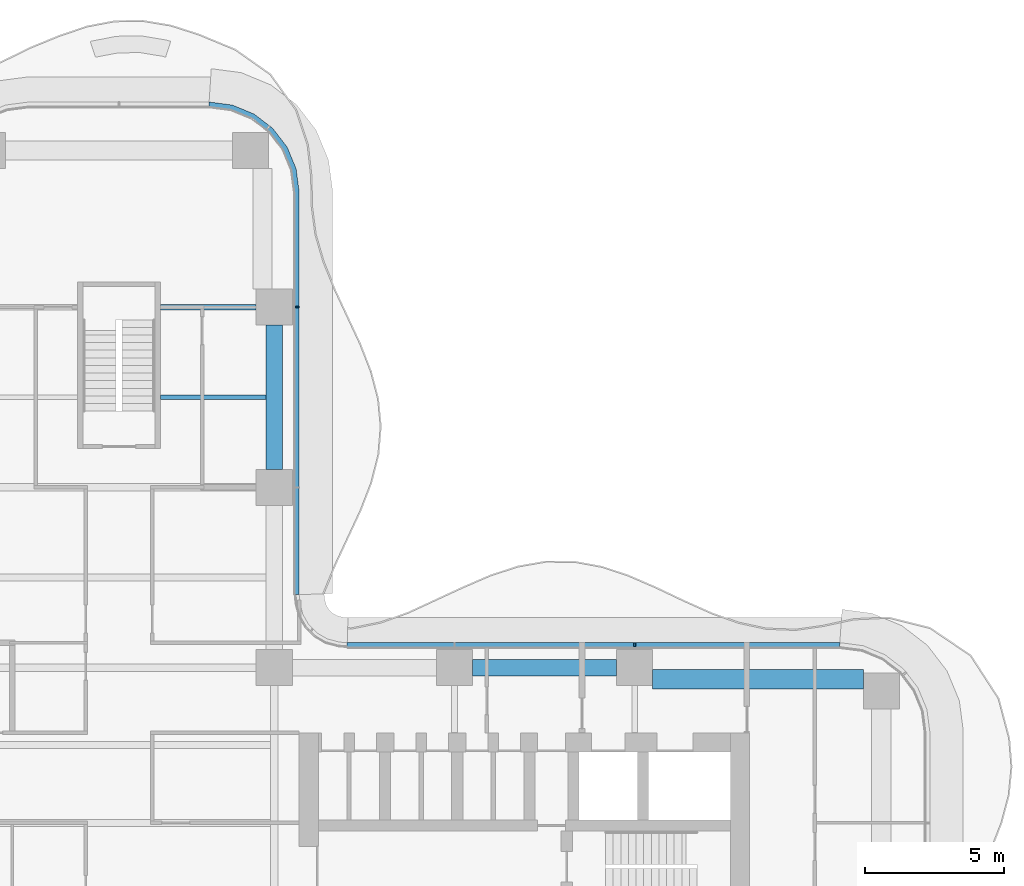
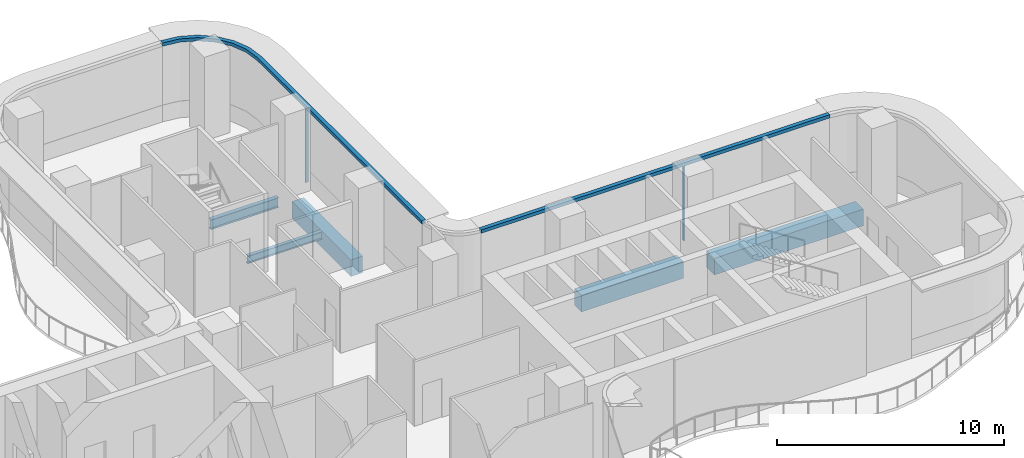
# One storey, part 10 of 21: 5 beams, 4 members, 2 elements without a shape of their own.
"""IFC4 building model written with IfcOpenShell, lengths in metres."""

from ifc_helpers import new_model, si_unit, direction, frame, origin, origin_2d, place, context, subcontext, project, spatial, polyline, rectangle, i_section, outline, extrude, source, transform, mapped, material, layer, layer_set, material_profile, profile_set, type_object, element, aggregate, save


model = new_model("IFC4")

# Units and contexts
model_context = context("Model", 3, precision=1e-05, world=origin(), true_north=direction((0.0, 1.0)))
body_context = subcontext(model_context, "Body", "Model", "MODEL_VIEW")
ifc_project = project(units=[si_unit("LENGTHUNIT", "METRE"), si_unit("AREAUNIT", "SQUARE_METRE"), si_unit("VOLUMEUNIT", "CUBIC_METRE"), si_unit("PLANEANGLEUNIT", "RADIAN"), si_unit("MASSUNIT", "GRAM", prefix="KILO")], contexts=[model_context])

# Site, building, storey
site_placement = place(None, origin())
site = spatial("IfcSite", under=ifc_project, at=site_placement, CompositionType="ELEMENT")
building_placement = place(site_placement, origin())
building = spatial("IfcBuilding", under=site, at=building_placement, Name="Trellis Farm Tower", CompositionType="ELEMENT")
storey_placement = place(building_placement, frame((0.0, 0.0, 147.0)))
storey = spatial("IfcBuildingStorey", under=building, at=storey_placement, Name="L31", CompositionType="ELEMENT", Elevation=147.0)

# Beams
ifc_material_1 = material(Name="Steel S355", Category="steel")
ifc_material_profile_1 = material_profile(ifc_material_1, i_section(OverallWidth=0.177978515625, OverallDepth=0.406494140625, WebThickness=0.0078125, FlangeThickness=0.0126953125, FilletRadius=0.01025390625, at=origin_2d()), Name="UB 406x178x60")
ifc_profile_set_1 = profile_set([ifc_material_profile_1], Name="Steel S355")
beam_type_1 = type_object("IfcBeamType", Name="UB 406x178x60 joist", PredefinedType="JOIST", material=ifc_profile_set_1)
shared_shape_1 = source(origin(), body_context, "Body", "SweptSolid", [
    extrude(i_section(OverallWidth=0.177978515625, OverallDepth=0.406494140625, WebThickness=0.0078125, FlangeThickness=0.0126953125, FilletRadius=0.01025390625, at=origin_2d()), origin(), (0.0, 0.0, 1.0), 3.800048828125),
])
beam_1_placement = place(storey_placement, frame((1.5, 15.35009765625, -0.453125), z_axis=(1.0, 0.0, 0.0), x_axis=(0.0, 1.0, 0.0)))
element("IfcBeam", 1, at=beam_1_placement, inside=storey, type_object=beam_type_1, Name="Floor beam", PredefinedType="JOIST", context=body_context, shape_type="MappedRepresentation", body=[
    mapped(shared_shape_1, transform((0.0, 0.0, 0.0))),
])
ifc_material_profile_2 = material_profile(ifc_material_1, i_section(OverallWidth=0.209228515625, OverallDepth=0.533203125, WebThickness=0.010009765625, FlangeThickness=0.015625, FilletRadius=0.0126953125, at=origin_2d()), Name="UB 533x210x92")
ifc_profile_set_2 = profile_set([ifc_material_profile_2], Name="Steel S355")
beam_type_2 = type_object("IfcBeamType", Name="UB 533x210x92", PredefinedType="BEAM", material=ifc_profile_set_2)
shared_shape_2 = source(origin(), body_context, "Body", "SweptSolid", [
    extrude(i_section(OverallWidth=0.209228515625, OverallDepth=0.533203125, WebThickness=0.010009765625, FlangeThickness=0.015625, FilletRadius=0.0126953125, at=origin_2d()), origin(), (0.0, 0.0, 1.0), 3.449951171875),
])
beam_2_placement = place(storey_placement, frame((1.5, 18.60009765625, -0.5166015625), z_axis=(1.0, 0.0, 0.0), x_axis=(0.0, 1.0, 0.0)))
element("IfcBeam", 2, at=beam_2_placement, inside=storey, type_object=beam_type_2, Name="Girder", PredefinedType="BEAM", context=body_context, shape_type="MappedRepresentation", body=[
    mapped(shared_shape_2, transform((0.0, 0.0, 0.0))),
])
ifc_material_2 = material(Name="Concrete C60/75", Category="concrete")
ifc_material_profile_3 = material_profile(ifc_material_2, rectangle(XDim=0.60009765625, YDim=0.89990234375, at=origin_2d()), Name="RC spandrel beam 600x900 C60/75")
ifc_profile_set_3 = profile_set([ifc_material_profile_3], Name="Concrete C60/75")
beam_type_3 = type_object("IfcBeamType", Name="RC spandrel beam 600x900 C60/75", PredefinedType="SPANDREL", material=ifc_profile_set_3)
shared_shape_3 = source(origin(), body_context, "Body", "SweptSolid", [
    extrude(rectangle(XDim=0.60009765625, YDim=0.89990234375, at=origin_2d()), origin(), (0.0, 0.0, 1.0), 5.199951171875),
])
for number, where, z_axis, x_axis, name in (
    (3, (12.75, 5.60009765625, -0.699951171875), (1.0, 0.0, 0.0), (0.0, 1.0, 0.0), "Girder"),
    (4, (5.60009765625, 12.75, -0.699951171875), (0.0, 1.0, 0.0), (-1.0, 0.0, 0.0), "Girder"),
):
    element("IfcBeam", number, at=place(storey_placement, frame(where, z_axis=z_axis, x_axis=x_axis)), inside=storey, type_object=beam_type_3, Name=name, PredefinedType="SPANDREL", context=body_context, shape_type="MappedRepresentation", body=[
        mapped(shared_shape_3, transform((0.0, 0.0, 0.0))),
    ])
ifc_material_profile_4 = material_profile(ifc_material_2, rectangle(XDim=0.699951171875, YDim=0.89990234375, at=origin_2d()), Name="RC spandrel beam 700x900 C60/75")
ifc_profile_set_4 = profile_set([ifc_material_profile_4], Name="Concrete C60/75")
beam_type_4 = type_object("IfcBeamType", Name="RC spandrel beam 700x900 C60/75", PredefinedType="SPANDREL", material=ifc_profile_set_4)
shared_shape_4 = source(origin(), body_context, "Body", "SweptSolid", [
    extrude(rectangle(XDim=0.699951171875, YDim=0.89990234375, at=origin_2d()), origin(), (0.0, 0.0, 1.0), 7.60009765625),
])
beam_3_placement = place(storey_placement, frame((19.25, 5.175048828125, -0.699951171875), z_axis=(1.0, 0.0, 0.0), x_axis=(0.0, 1.0, 0.0)))
element("IfcBeam", 5, at=beam_3_placement, inside=storey, type_object=beam_type_4, Name="Girder", PredefinedType="SPANDREL", context=body_context, shape_type="MappedRepresentation", body=[
    mapped(shared_shape_4, transform((0.0, 0.0, 0.0))),
])

# Curtain wall, member
ifc_material_3 = material(Name="Aluminium and glass curtain wall", Category="aluminium")
ifc_layer_1 = layer(ifc_material_3, 0.18994140625)
ifc_layer_set_1 = layer_set([ifc_layer_1], Name="RIBBON CURTAIN WALL CW1")
curtain_wall_type = type_object("IfcCurtainWallType", Name="RIBBON CURTAIN WALL CW1", PredefinedType="NOTDEFINED", material=ifc_layer_set_1)
placement_1 = place(storey_placement, origin())
curtain_wall_1 = element("IfcCurtainWall", 6, at=placement_1, inside=storey, type_object=curtain_wall_type, Name="CW1 008", PredefinedType="NOTDEFINED")
ifc_material_4 = material(Name="Aluminium extrusion 6063-T6", Category="aluminium")
ifc_material_profile_5 = material_profile(ifc_material_4, rectangle(XDim=0.06005859375, YDim=0.14990234375, at=origin_2d()), Name="MULLION 60x150")
ifc_profile_set_5 = profile_set([ifc_material_profile_5], Name="Aluminium extrusion 6063-T6")
member_type_1 = type_object("IfcMemberType", Name="CW1 MULLION 60x150", PredefinedType="MULLION", material=ifc_profile_set_5)
shared_shape_5 = source(origin(), body_context, "Body", "SweptSolid", [
    extrude(rectangle(XDim=0.06005859375, YDim=0.14990234375, at=origin_2d()), origin(), (0.0, 0.0, 1.0), 4.070068359375),
])
member_1_placement = place(storey_placement, frame((18.60009765625, 6.425048828125, 0.0), z_axis=(0.0, 0.0, 1.0), x_axis=(-1.0, 0.0, 0.0)))
member_1 = element("IfcMember", 7, at=member_1_placement, type_object=member_type_1, Name="MU1 008-01", PredefinedType="MULLION", context=body_context, shape_type="MappedRepresentation", body=[
    mapped(shared_shape_5, transform((0.0, 0.0, 0.0))),
])

# Curtain wall, members
curtain_wall_2 = element("IfcCurtainWall", 8, at=placement_1, inside=storey, type_object=curtain_wall_type, Name="CW1 009", PredefinedType="NOTDEFINED")
member_2_placement = place(storey_placement, frame((6.425048828125, 18.60009765625, 0.0), z_axis=(0.0, 0.0, 1.0), x_axis=(0.0, 1.0, 0.0)))
member_2 = element("IfcMember", 9, at=member_2_placement, type_object=member_type_1, Name="MU1 009-02", PredefinedType="MULLION", context=body_context, shape_type="MappedRepresentation", body=[
    mapped(shared_shape_5, transform((0.0, 0.0, 0.0))),
])
ifc_layer_2 = layer(ifc_material_4, 0.199951171875)
ifc_layer_set_2 = layer_set([ifc_layer_2], Name="Aluminium extrusion 6063-T6")
member_type_2 = type_object("IfcMemberType", Name="CW1 TRANSOM 200x180", PredefinedType="USERDEFINED", material=ifc_layer_set_2)
shared_shape_6 = source(origin(), body_context, "Body", "SweptSolid", [
    extrude(outline(polyline([(6.5, 8.2314453125), (6.5, 22.75), (6.38916015625, 23.591064453125), (6.064697265625, 24.375), (5.548095703125, 25.048095703125), (4.875, 25.564697265625), (4.091064453125, 25.88916015625), (3.25, 26.0), (3.23681640625, 25.800048828125), (4.0390625, 25.6943359375), (4.774169921875, 25.389892578125), (5.405517578125, 24.905517578125), (5.889892578125, 24.274169921875), (6.1943359375, 23.5390625), (6.300048828125, 22.73681640625), (6.300048828125, 8.224853515625), (6.5, 8.2314453125)])), origin(), (0.0, 0.0, 1.0), 0.179931640625),
])
placement_2 = place(storey_placement, frame((0.0, 0.0, 4.070068359375)))
member_3 = element("IfcMember", 10, at=placement_2, type_object=member_type_2, Name="TR1 009", ObjectType="TRANSOM", PredefinedType="USERDEFINED", context=body_context, shape_type="MappedRepresentation", body=[
    mapped(shared_shape_6, transform((0.0, 0.0, 0.0))),
])
aggregate(curtain_wall_2, [member_2, member_3])

# Member
shared_shape_7 = source(origin(), body_context, "Body", "SweptSolid", [
    extrude(outline(polyline([(26.0, 6.5), (8.2314453125, 6.5), (8.224853515625, 6.300048828125), (25.98681640625, 6.300048828125), (26.0, 6.5)])), origin(), (0.0, 0.0, 1.0), 0.179931640625),
])
member_4 = element("IfcMember", 11, at=placement_2, type_object=member_type_2, Name="TR1 008", ObjectType="TRANSOM", PredefinedType="USERDEFINED", context=body_context, shape_type="MappedRepresentation", body=[
    mapped(shared_shape_7, transform((0.0, 0.0, 0.0))),
])

aggregate(curtain_wall_1, [member_1, member_4])

save(model, "model.ifc")
